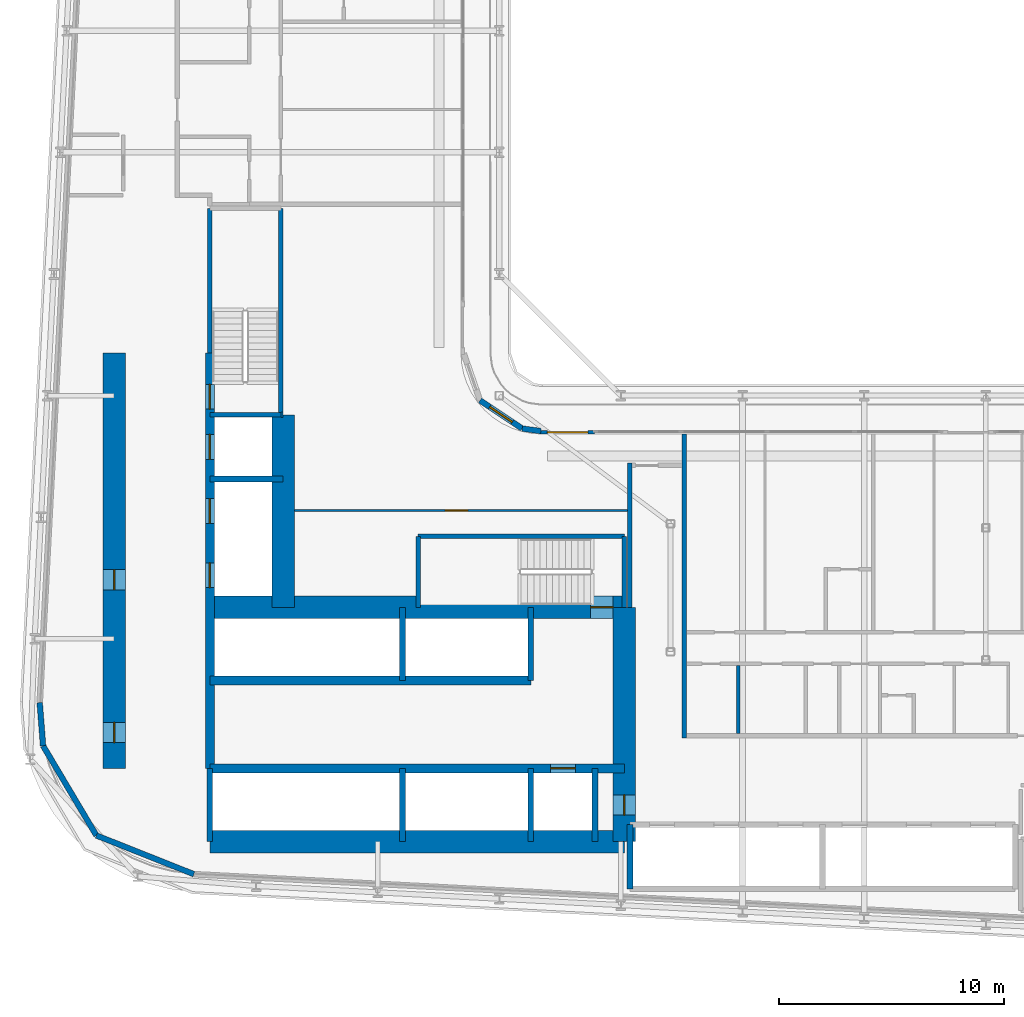
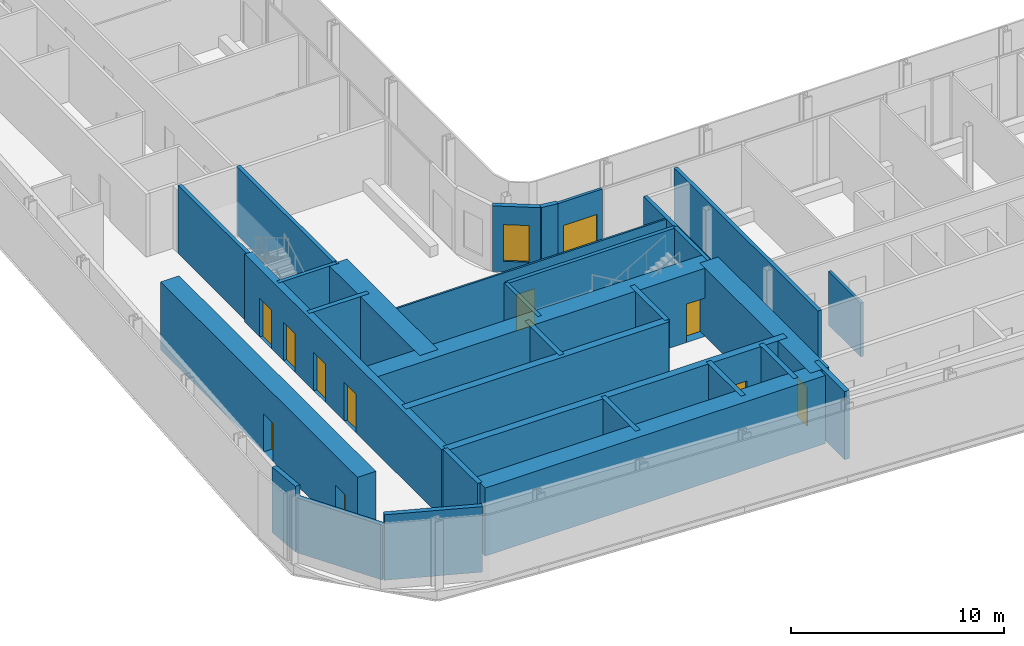
# One storey, part 14 of 29: 33 walls, 11 doors, 1 window, 12 openings.
"""IFC4 building model written with IfcOpenShell, lengths in metres."""

from ifc_helpers import new_model, si_unit, direction, frame, frame_2d, origin, place, context, subcontext, project, spatial, rectangle, extrude, source, transform, mapped, material, layer, layer_set, type_object, element, fill, save


model = new_model("IFC4")

# Units and contexts
model_context = context("Model", 3, precision=1e-05, world=origin(), true_north=direction((0.0, 1.0)))
body_context = subcontext(model_context, "Body", "Model", "MODEL_VIEW")
ifc_project = project(units=[si_unit("LENGTHUNIT", "METRE"), si_unit("AREAUNIT", "SQUARE_METRE"), si_unit("VOLUMEUNIT", "CUBIC_METRE"), si_unit("PLANEANGLEUNIT", "RADIAN"), si_unit("MASSUNIT", "GRAM", prefix="KILO")], contexts=[model_context])

# Site, building, storey
site_placement = place(None, origin())
site = spatial("IfcSite", under=ifc_project, at=site_placement, CompositionType="ELEMENT")
building_placement = place(site_placement, origin())
building = spatial("IfcBuilding", under=site, at=building_placement, Name="Kheshtan School and Residences Tower", CompositionType="ELEMENT")
storey_placement = place(building_placement, frame((0.0, 0.0, 65.60009765625)))
storey = spatial("IfcBuildingStorey", under=building, at=storey_placement, Name="L15", CompositionType="ELEMENT", Elevation=65.60009765625)

# Wall
ifc_material_1 = material(Name="Concrete C80/95", Category="concrete")
ifc_layer_1 = layer(ifc_material_1, 1.0)
ifc_layer_set_1 = layer_set([ifc_layer_1], Name="Core wall 1000 Concrete C80/95")
wall_type_1 = type_object("IfcWallType", Name="Core wall 1000 Concrete C80/95", PredefinedType="SHEAR", material=ifc_layer_set_1)
wall_1_placement = place(storey_placement, frame((34.75, 25.800048828125, 0.0), z_axis=(0.0, 0.0, 1.0), x_axis=(1.0, 0.0, 0.0)))
element("IfcWall", 1, at=wall_1_placement, inside=storey, type_object=wall_type_1, Name="Core wall CW-REAR-S", PredefinedType="SHEAR", context=body_context, shape_type="SweptSolid", body=[
    extrude(rectangle(XDim=18.39990234375, YDim=1.0, at=frame_2d((9.199951171875, 0.0))), origin(), (0.0, 0.0, 1.0), 3.89990234375),
])

# Wall, opening, door
wall_2_placement = place(storey_placement, frame((34.75, 36.199951171875, 0.0), z_axis=(0.0, 0.0, 1.0), x_axis=(1.0, 0.0, 0.0)))
wall_2 = element("IfcWall", 2, at=wall_2_placement, inside=storey, type_object=wall_type_1, Name="Core wall CW-FRONT-S", PredefinedType="SHEAR", context=body_context, shape_type="SweptSolid", body=[
    extrude(rectangle(XDim=18.39990234375, YDim=1.0, at=frame_2d((9.199951171875, 0.0))), origin(), (0.0, 0.0, 1.0), 3.89990234375),
])
opening_1_placement = place(wall_2_placement, frame((16.89990234375, 0.0, 0.0)))
opening_1 = element("IfcOpeningElement", 3, at=opening_1_placement, cuts=wall_2, Name="Opening ST1D", PredefinedType="OPENING", context=body_context, shape_type="SweptSolid", body=[
    extrude(rectangle(XDim=1.0, YDim=2.199951171875, at=frame_2d((0.5, 1.10009765625))), frame((0.0, 0.510009765625, 0.0), z_axis=(0.0, -1.0, 0.0), x_axis=(1.0, 0.0, 0.0)), (0.0, 0.0, 1.0), 1.02001953125),
])
ifc_material_2 = material(Name="Steel door leaf, galvanised", Category="steel")
door_type_1 = type_object("IfcDoorType", Name="Stair door 1100 steel 90 min", OperationType="SINGLE_SWING_LEFT", PredefinedType="DOOR", material=ifc_material_2)
shared_shape_1 = source(origin(), body_context, "Body", "SweptSolid", [
    extrude(rectangle(XDim=1.0, YDim=2.199951171875, at=frame_2d((0.5, 1.10009765625))), frame((0.0, 0.02490234375, 0.0), z_axis=(0.0, -1.0, 0.0), x_axis=(1.0, 0.0, 0.0)), (0.0, 0.0, 1.0), 0.050048828125),
])
door_1_placement = place(opening_1_placement, origin())
door_1 = element("IfcDoor", 4, at=door_1_placement, inside=storey, type_object=door_type_1, Name="Stair ST1 door", OperationType="SINGLE_SWING_RIGHT", OverallHeight=2.199951171875, OverallWidth=1.0, PredefinedType="DOOR", context=body_context, shape_type="MappedRepresentation", body=[
    mapped(shared_shape_1, transform((0.0, 0.0, 0.0), x_axis=(1.0, 0.0, 0.0), y_axis=(0.0, 1.0, 0.0), z_axis=(0.0, 0.0, 1.0), scale=1.0)),
])
fill(opening_1, door_1)

# Wall
wall_3_placement = place(storey_placement, frame((38.0, 36.199951171875, 0.0), z_axis=(0.0, 0.0, 1.0), x_axis=(0.0, 1.0, 0.0)))
element("IfcWall", 5, at=wall_3_placement, inside=storey, type_object=wall_type_1, Name="Core wall CW-FRONT-W", PredefinedType="SHEAR", context=body_context, shape_type="SweptSolid", body=[
    extrude(rectangle(XDim=8.550048828125, YDim=1.0, at=frame_2d((4.27490234375, 0.0))), origin(), (0.0, 0.0, 1.0), 3.89990234375),
])

# Wall, openings, doors
wall_4_placement = place(storey_placement, frame((30.5, 29.050048828125, 0.0), z_axis=(0.0, 0.0, 1.0), x_axis=(0.0, 1.0, 0.0)))
wall_4 = element("IfcWall", 6, at=wall_4_placement, inside=storey, type_object=wall_type_1, Name="Core wall CW-REAR-W", PredefinedType="SHEAR", context=body_context, shape_type="SweptSolid", body=[
    extrude(rectangle(XDim=18.449951171875, YDim=1.0, at=frame_2d((9.22509765625, 0.0))), origin(), (0.0, 0.0, 1.0), 3.89990234375),
])
opening_2_placement = place(wall_4_placement, frame((1.14697265625, 0.0, 0.0)))
opening_2 = element("IfcOpeningElement", 7, at=opening_2_placement, cuts=wall_4, Name="Opening SR90", PredefinedType="OPENING", context=body_context, shape_type="SweptSolid", body=[
    extrude(rectangle(XDim=0.89990234375, YDim=2.199951171875, at=frame_2d((0.449951171875, 1.10009765625))), frame((0.0, 0.510009765625, 0.0), z_axis=(0.0, -1.0, 0.0), x_axis=(1.0, 0.0, 0.0)), (0.0, 0.0, 1.0), 1.02001953125),
])
opening_3_placement = place(wall_4_placement, frame((7.925048828125, 0.0, 0.0)))
opening_3 = element("IfcOpeningElement", 8, at=opening_3_placement, cuts=wall_4, Name="Opening SR90", PredefinedType="OPENING", context=body_context, shape_type="SweptSolid", body=[
    extrude(rectangle(XDim=0.89990234375, YDim=2.199951171875, at=frame_2d((0.449951171875, 1.10009765625))), frame((0.0, 0.510009765625, 0.0), z_axis=(0.0, -1.0, 0.0), x_axis=(1.0, 0.0, 0.0)), (0.0, 0.0, 1.0), 1.02001953125),
])
door_type_2 = type_object("IfcDoorType", Name="Service room door 900 steel 90 min", OperationType="SINGLE_SWING_LEFT", PredefinedType="DOOR", material=ifc_material_2)
shared_shape_2 = source(origin(), body_context, "Body", "SweptSolid", [
    extrude(rectangle(XDim=0.89990234375, YDim=2.199951171875, at=frame_2d((0.449951171875, 1.10009765625))), frame((0.0, 0.02490234375, 0.0), z_axis=(0.0, -1.0, 0.0), x_axis=(1.0, 0.0, 0.0)), (0.0, 0.0, 1.0), 0.050048828125),
])
door_2_placement = place(opening_2_placement, origin())
door_2 = element("IfcDoor", 9, at=door_2_placement, inside=storey, type_object=door_type_2, Name="Service room door", OperationType="SINGLE_SWING_LEFT", OverallHeight=2.199951171875, OverallWidth=0.89990234375, PredefinedType="DOOR", context=body_context, shape_type="MappedRepresentation", body=[
    mapped(shared_shape_2, transform((0.0, 0.0, 0.0), x_axis=(1.0, 0.0, 0.0), y_axis=(0.0, 1.0, 0.0), z_axis=(0.0, 0.0, 1.0), scale=1.0)),
])
fill(opening_2, door_2)
door_3_placement = place(opening_3_placement, origin())
door_3 = element("IfcDoor", 10, at=door_3_placement, inside=storey, type_object=door_type_2, Name="Service room door", OperationType="SINGLE_SWING_LEFT", OverallHeight=2.199951171875, OverallWidth=0.89990234375, PredefinedType="DOOR", context=body_context, shape_type="MappedRepresentation", body=[
    mapped(shared_shape_2, transform((0.0, 0.0, 0.0), x_axis=(1.0, 0.0, 0.0), y_axis=(0.0, 1.0, 0.0), z_axis=(0.0, 0.0, 1.0), scale=1.0)),
])
fill(opening_3, door_3)

# Wall, opening, door
wall_5_placement = place(storey_placement, frame((53.14990234375, 25.800048828125, 0.0), z_axis=(0.0, 0.0, 1.0), x_axis=(0.0, 1.0, 0.0)))
wall_5 = element("IfcWall", 11, at=wall_5_placement, inside=storey, type_object=wall_type_1, Name="Core wall CW-EAST", PredefinedType="SHEAR", context=body_context, shape_type="SweptSolid", body=[
    extrude(rectangle(XDim=10.39990234375, YDim=1.0, at=frame_2d((5.199951171875, 0.0))), origin(), (0.0, 0.0, 1.0), 3.89990234375),
])
opening_4_placement = place(wall_5_placement, frame((1.175048828125, 0.0, 0.0)))
opening_4 = element("IfcOpeningElement", 12, at=opening_4_placement, cuts=wall_5, Name="Opening SR90", PredefinedType="OPENING", context=body_context, shape_type="SweptSolid", body=[
    extrude(rectangle(XDim=0.89990234375, YDim=2.199951171875, at=frame_2d((0.449951171875, 1.10009765625))), frame((0.0, 0.510009765625, 0.0), z_axis=(0.0, -1.0, 0.0), x_axis=(1.0, 0.0, 0.0)), (0.0, 0.0, 1.0), 1.02001953125),
])
door_4_placement = place(opening_4_placement, origin())
door_4 = element("IfcDoor", 13, at=door_4_placement, inside=storey, type_object=door_type_2, Name="Service room door", OperationType="SINGLE_SWING_RIGHT", OverallHeight=2.199951171875, OverallWidth=0.89990234375, PredefinedType="DOOR", context=body_context, shape_type="MappedRepresentation", body=[
    mapped(shared_shape_2, transform((0.0, 0.0, 0.0), x_axis=(1.0, 0.0, 0.0), y_axis=(0.0, 1.0, 0.0), z_axis=(0.0, 0.0, 1.0), scale=1.0)),
])
fill(opening_4, door_4)

ifc_material_3 = material(Name="Concrete C50/60", Category="concrete")
ifc_layer_2 = layer(ifc_material_3, 0.39990234375)
ifc_layer_set_2 = layer_set([ifc_layer_2], Name="Core wall 400 Concrete C50/60")
wall_type_2 = type_object("IfcWallType", Name="Core wall 400 Concrete C50/60", PredefinedType="SHEAR", material=ifc_layer_set_2)
wall_6_placement = place(storey_placement, frame((34.75, 29.050048828125, 0.0), z_axis=(0.0, 0.0, 1.0), x_axis=(1.0, 0.0, 0.0)))
wall_6 = element("IfcWall", 14, at=wall_6_placement, inside=storey, type_object=wall_type_2, Name="Core wall CW-HALL-S1", PredefinedType="SHEAR", context=body_context, shape_type="SweptSolid", body=[
    extrude(rectangle(XDim=18.39990234375, YDim=0.39990234375, at=frame_2d((9.199951171875, 0.0))), origin(), (0.0, 0.0, 1.0), 3.89990234375),
])
opening_5_placement = place(wall_6_placement, frame((15.125, 0.0, 0.0)))
opening_5 = element("IfcOpeningElement", 15, at=opening_5_placement, cuts=wall_6, Name="Opening LD", PredefinedType="OPENING", context=body_context, shape_type="SweptSolid", body=[
    extrude(rectangle(XDim=1.10009765625, YDim=2.199951171875, at=frame_2d((0.550048828125, 1.10009765625))), frame((0.0, 0.2099609375, 0.0), z_axis=(0.0, -1.0, 0.0), x_axis=(1.0, 0.0, 0.0)), (0.0, 0.0, 1.0), 0.419921875),
])
ifc_material_4 = material(Name="Stainless steel door leaves", Category="steel")
door_type_3 = type_object("IfcDoorType", Name="Lift landing door 1100", OperationType="SLIDING_TO_LEFT", PredefinedType="DOOR", material=ifc_material_4)
shared_shape_3 = source(origin(), body_context, "Body", "SweptSolid", [
    extrude(rectangle(XDim=1.10009765625, YDim=2.199951171875, at=frame_2d((0.550048828125, 1.10009765625))), frame((0.0, 0.02490234375, 0.0), z_axis=(0.0, -1.0, 0.0), x_axis=(1.0, 0.0, 0.0)), (0.0, 0.0, 1.0), 0.050048828125),
])
door_5_placement = place(opening_5_placement, origin())
door_5 = element("IfcDoor", 16, at=door_5_placement, inside=storey, type_object=door_type_3, Name="Lift FFL2 landing door", OperationType="SLIDING_TO_LEFT", OverallHeight=2.199951171875, OverallWidth=1.10009765625, PredefinedType="DOOR", context=body_context, shape_type="MappedRepresentation", body=[
    mapped(shared_shape_3, transform((0.0, 0.0, 0.0), x_axis=(1.0, 0.0, 0.0), y_axis=(0.0, 1.0, 0.0), z_axis=(0.0, 0.0, 1.0), scale=1.0)),
])
fill(opening_5, door_5)

# Wall
wall_7_placement = place(storey_placement, frame((34.75, 32.949951171875, 0.0), z_axis=(0.0, 0.0, 1.0), x_axis=(1.0, 0.0, 0.0)))
element("IfcWall", 17, at=wall_7_placement, inside=storey, type_object=wall_type_2, Name="Core wall CW-HALL-S2", PredefinedType="SHEAR", context=body_context, shape_type="SweptSolid", body=[
    extrude(rectangle(XDim=14.25, YDim=0.39990234375, at=frame_2d((7.125, 0.0))), origin(), (0.0, 0.0, 1.0), 3.89990234375),
])

# Wall, openings, doors
wall_8_placement = place(storey_placement, frame((34.75, 29.050048828125, 0.0), z_axis=(0.0, 0.0, 1.0), x_axis=(0.0, 1.0, 0.0)))
wall_8 = element("IfcWall", 18, at=wall_8_placement, inside=storey, type_object=wall_type_2, Name="Core wall CW-HALL-W1", PredefinedType="SHEAR", context=body_context, shape_type="SweptSolid", body=[
    extrude(rectangle(XDim=18.449951171875, YDim=0.39990234375, at=frame_2d((9.22509765625, 0.0))), origin(), (0.0, 0.0, 1.0), 3.89990234375),
])
opening_6_placement = place(wall_8_placement, frame((8.02490234375, 0.0, 0.0)))
opening_6 = element("IfcOpeningElement", 19, at=opening_6_placement, cuts=wall_8, Name="Opening LD", PredefinedType="OPENING", context=body_context, shape_type="SweptSolid", body=[
    extrude(rectangle(XDim=1.10009765625, YDim=2.199951171875, at=frame_2d((0.550048828125, 1.10009765625))), frame((0.0, 0.2099609375, 0.0), z_axis=(0.0, -1.0, 0.0), x_axis=(1.0, 0.0, 0.0)), (0.0, 0.0, 1.0), 0.419921875),
])
opening_7_placement = place(wall_8_placement, frame((10.875, 0.0, 0.0)))
opening_7 = element("IfcOpeningElement", 20, at=opening_7_placement, cuts=wall_8, Name="Opening LD", PredefinedType="OPENING", context=body_context, shape_type="SweptSolid", body=[
    extrude(rectangle(XDim=1.10009765625, YDim=2.199951171875, at=frame_2d((0.550048828125, 1.10009765625))), frame((0.0, 0.2099609375, 0.0), z_axis=(0.0, -1.0, 0.0), x_axis=(1.0, 0.0, 0.0)), (0.0, 0.0, 1.0), 0.419921875),
])
opening_8_placement = place(wall_8_placement, frame((13.72509765625, 0.0, 0.0)))
opening_8 = element("IfcOpeningElement", 21, at=opening_8_placement, cuts=wall_8, Name="Opening LD", PredefinedType="OPENING", context=body_context, shape_type="SweptSolid", body=[
    extrude(rectangle(XDim=1.10009765625, YDim=2.199951171875, at=frame_2d((0.550048828125, 1.10009765625))), frame((0.0, 0.2099609375, 0.0), z_axis=(0.0, -1.0, 0.0), x_axis=(1.0, 0.0, 0.0)), (0.0, 0.0, 1.0), 0.419921875),
])
opening_9_placement = place(wall_8_placement, frame((15.949951171875, 0.0, 0.0)))
opening_9 = element("IfcOpeningElement", 22, at=opening_9_placement, cuts=wall_8, Name="Opening ST2D", PredefinedType="OPENING", context=body_context, shape_type="SweptSolid", body=[
    extrude(rectangle(XDim=1.10009765625, YDim=2.199951171875, at=frame_2d((0.550048828125, 1.10009765625))), frame((0.0, 0.2099609375, 0.0), z_axis=(0.0, -1.0, 0.0), x_axis=(1.0, 0.0, 0.0)), (0.0, 0.0, 1.0), 0.419921875),
])
door_6_placement = place(opening_6_placement, origin())
door_6 = element("IfcDoor", 23, at=door_6_placement, inside=storey, type_object=door_type_3, Name="Lift SV1 landing door", OperationType="SLIDING_TO_LEFT", OverallHeight=2.199951171875, OverallWidth=1.10009765625, PredefinedType="DOOR", context=body_context, shape_type="MappedRepresentation", body=[
    mapped(shared_shape_3, transform((0.0, 0.0, 0.0), x_axis=(1.0, 0.0, 0.0), y_axis=(0.0, 1.0, 0.0), z_axis=(0.0, 0.0, 1.0), scale=1.0)),
])
fill(opening_6, door_6)
door_7_placement = place(opening_7_placement, origin())
door_7 = element("IfcDoor", 24, at=door_7_placement, inside=storey, type_object=door_type_3, Name="Lift SV2 landing door", OperationType="SLIDING_TO_LEFT", OverallHeight=2.199951171875, OverallWidth=1.10009765625, PredefinedType="DOOR", context=body_context, shape_type="MappedRepresentation", body=[
    mapped(shared_shape_3, transform((0.0, 0.0, 0.0), x_axis=(1.0, 0.0, 0.0), y_axis=(0.0, 1.0, 0.0), z_axis=(0.0, 0.0, 1.0), scale=1.0)),
])
fill(opening_7, door_7)
door_8_placement = place(opening_8_placement, origin())
door_8 = element("IfcDoor", 25, at=door_8_placement, inside=storey, type_object=door_type_3, Name="Lift FFL1 landing door", OperationType="SLIDING_TO_LEFT", OverallHeight=2.199951171875, OverallWidth=1.10009765625, PredefinedType="DOOR", context=body_context, shape_type="MappedRepresentation", body=[
    mapped(shared_shape_3, transform((0.0, 0.0, 0.0), x_axis=(1.0, 0.0, 0.0), y_axis=(0.0, 1.0, 0.0), z_axis=(0.0, 0.0, 1.0), scale=1.0)),
])
fill(opening_8, door_8)
shared_shape_4 = source(origin(), body_context, "Body", "SweptSolid", [
    extrude(rectangle(XDim=1.10009765625, YDim=2.199951171875, at=frame_2d((0.550048828125, 1.10009765625))), frame((0.0, 0.02490234375, 0.0), z_axis=(0.0, -1.0, 0.0), x_axis=(1.0, 0.0, 0.0)), (0.0, 0.0, 1.0), 0.050048828125),
])
door_9_placement = place(opening_9_placement, origin())
door_9 = element("IfcDoor", 26, at=door_9_placement, inside=storey, type_object=door_type_1, Name="Stair ST2 door", OperationType="SINGLE_SWING_RIGHT", OverallHeight=2.199951171875, OverallWidth=1.10009765625, PredefinedType="DOOR", context=body_context, shape_type="MappedRepresentation", body=[
    mapped(shared_shape_4, transform((0.0, 0.0, 0.0), x_axis=(1.0, 0.0, 0.0), y_axis=(0.0, 1.0, 0.0), z_axis=(0.0, 0.0, 1.0), scale=1.0)),
])
fill(opening_9, door_9)

# Walls
ifc_material_5 = material(Name="Gypsum board on steel studs with fire boards", Category="steel")
ifc_layer_3 = layer(ifc_material_5, 0.199951171875)
ifc_layer_set_3 = layer_set([ifc_layer_3], Name="Corridor wall 200")
wall_type_3 = type_object("IfcWallType", Name="Corridor wall 200", PredefinedType="PARTITIONING", material=ifc_layer_set_3)
wall_9_placement = place(storey_placement, frame((53.39990234375, 36.198974609375, 0.0), z_axis=(0.0, 0.0, 1.0), x_axis=(0.0, 1.0, 0.0)))
element("IfcWall", 27, at=wall_9_placement, inside=storey, type_object=wall_type_3, Name="Partition L15-038", PredefinedType="PARTITIONING", context=body_context, shape_type="SweptSolid", body=[
    extrude(rectangle(XDim=6.401123046875, YDim=0.199951171875, at=frame_2d((3.20068359375, 0.0))), origin(), (0.0, 0.0, 1.0), 3.599853515625),
])
ifc_material_6 = material(Name="Concrete C40/50 with ceramic cladding and mineral wool insulation", Category="concrete")
ifc_layer_4 = layer(ifc_material_6, 0.25)
ifc_layer_set_4 = layer_set([ifc_layer_4], Name="External wall 250 ceramic clad")
wall_type_4 = type_object("IfcWallType", Name="External wall 250 ceramic clad", PredefinedType="SOLIDWALL", material=ifc_layer_set_4)
wall_10_placement = place(storey_placement, frame((34.0390625, 24.35302734375, 0.0), z_axis=(0.0, 0.0, 1.0), x_axis=(-0.929352825399, 0.369192803184, 0.0)))
element("IfcWall", 28, at=wall_10_placement, inside=storey, type_object=wall_type_4, Name="External wall L15 1", PredefinedType="SOLIDWALL", context=body_context, shape_type="SweptSolid", body=[
    extrude(rectangle(XDim=4.656005859375, YDim=0.25, at=frame_2d((2.328125, 0.0))), origin(), (0.0, 0.0, 1.0), 3.75),
])
wall_11_placement = place(storey_placement, frame((29.7119140625, 26.072021484375, 0.0), z_axis=(0.0, 0.0, 1.0), x_axis=(-0.511028049012, 0.859564036662, 0.0)))
element("IfcWall", 29, at=wall_11_placement, inside=storey, type_object=wall_type_4, Name="External wall L15 2", PredefinedType="SOLIDWALL", context=body_context, shape_type="SweptSolid", body=[
    extrude(rectangle(XDim=4.633544921875, YDim=0.25, at=frame_2d((2.31689453125, 0.0))), origin(), (0.0, 0.0, 1.0), 3.1328125),
])
wall_12_placement = place(storey_placement, frame((27.343994140625, 30.054931640625, 0.0), z_axis=(0.0, 0.0, 1.0), x_axis=(-0.077571675317, 0.99698677784, 0.0)))
element("IfcWall", 30, at=wall_12_placement, inside=storey, type_object=wall_type_4, Name="External wall L15 3", PredefinedType="SOLIDWALL", context=body_context, shape_type="SweptSolid", body=[
    extrude(rectangle(XDim=1.919921875, YDim=0.25, at=frame_2d((0.9599609375, 0.0))), origin(), (0.0, 0.0, 1.0), 3.75),
])

# Wall, opening, window
wall_13_placement = place(storey_placement, frame((46.742919921875, 45.388916015625, 0.0), z_axis=(0.0, 0.0, 1.0), x_axis=(0.831449265529, -0.555600682912, 0.0)))
wall_13 = element("IfcWall", 31, at=wall_13_placement, inside=storey, type_object=wall_type_4, Name="External wall L15 10", PredefinedType="SOLIDWALL", context=body_context, shape_type="SweptSolid", body=[
    extrude(rectangle(XDim=2.25146484375, YDim=0.25, at=frame_2d((1.125732421875, 0.0))), origin(), (0.0, 0.0, 1.0), 3.75),
])
opening_10_placement = place(wall_13_placement, frame((0.52490234375, 0.0, 0.60009765625)))
opening_10 = element("IfcOpeningElement", 32, at=opening_10_placement, cuts=wall_13, Name="Opening WN-E", PredefinedType="OPENING", context=body_context, shape_type="SweptSolid", body=[
    extrude(rectangle(XDim=1.199951171875, YDim=2.10009765625, at=frame_2d((0.60009765625, 1.050048828125))), frame((0.0, 0.135009765625, 0.0), z_axis=(0.0, -1.0, 0.0), x_axis=(1.0, 0.0, 0.0)), (0.0, 0.0, 1.0), 0.27001953125),
])
ifc_material_7 = material(Name="Clear low-e glass in thermally broken aluminium frame", Category="aluminium")
window_type = type_object("IfcWindowType", Name="Window WN-E", PartitioningType="SINGLE_PANEL", PredefinedType="WINDOW", material=ifc_material_7)
shared_shape_5 = source(origin(), body_context, "Body", "SweptSolid", [
    extrude(rectangle(XDim=1.199951171875, YDim=2.10009765625, at=frame_2d((0.60009765625, 1.050048828125))), frame((0.0, 0.030029296875, 0.0), z_axis=(0.0, -1.0, 0.0), x_axis=(1.0, 0.0, 0.0)), (0.0, 0.0, 1.0), 0.06005859375),
])
window_placement = place(opening_10_placement, origin())
window = element("IfcWindow", 33, at=window_placement, inside=storey, type_object=window_type, Name="Window L15 10", OverallHeight=2.10009765625, OverallWidth=1.199951171875, PartitioningType="SINGLE_PANEL", PredefinedType="WINDOW", context=body_context, shape_type="MappedRepresentation", body=[
    mapped(shared_shape_5, transform((0.0, 0.0, 0.0), x_axis=(1.0, 0.0, 0.0), y_axis=(0.0, 1.0, 0.0), z_axis=(0.0, 0.0, 1.0), scale=1.0)),
])
fill(opening_10, window)

# Wall
wall_14_placement = place(storey_placement, frame((48.614990234375, 44.137939453125, 0.0), z_axis=(0.0, 0.0, 1.0), x_axis=(0.990741504246, -0.135761819977, 0.0)))
element("IfcWall", 34, at=wall_14_placement, inside=storey, type_object=wall_type_4, Name="External wall L15 11", PredefinedType="SOLIDWALL", context=body_context, shape_type="SweptSolid", body=[
    extrude(rectangle(XDim=0.83984375, YDim=0.25, at=frame_2d((0.419921875, 0.0))), origin(), (0.0, 0.0, 1.0), 3.75),
])

# Wall, opening, door
ifc_material_8 = material(Name="Aluminium frame wall with insulated infill", Category="aluminium")
ifc_layer_5 = layer(ifc_material_8, 0.14990234375)
ifc_layer_set_5 = layer_set([ifc_layer_5], Name="Glazing frame wall 150")
wall_type_5 = type_object("IfcWallType", Name="Glazing frame wall 150", PredefinedType="SOLIDWALL", material=ifc_layer_set_5)
wall_15_placement = place(storey_placement, frame((49.429931640625, 43.97509765625, 0.0), z_axis=(0.0, 0.0, 1.0), x_axis=(1.0, 0.0, 0.0)))
wall_15 = element("IfcWall", 35, at=wall_15_placement, inside=storey, type_object=wall_type_5, Name="Balcony door wall L15 12.1", PredefinedType="SOLIDWALL", context=body_context, shape_type="SweptSolid", body=[
    extrude(rectangle(XDim=2.400146484375, YDim=0.14990234375, at=frame_2d((1.2001953125, 0.0))), origin(), (0.0, 0.0, 1.0), 3.75),
])
opening_11_placement = place(wall_15_placement, frame((0.300048828125, 0.0, 0.0)))
opening_11 = element("IfcOpeningElement", 36, at=opening_11_placement, cuts=wall_15, Name="Opening BD", PredefinedType="OPENING", context=body_context, shape_type="SweptSolid", body=[
    extrude(rectangle(XDim=1.800048828125, YDim=2.39990234375, at=frame_2d((0.89990234375, 1.199951171875))), frame((0.0, 0.0849609375, 0.0), z_axis=(0.0, -1.0, 0.0), x_axis=(1.0, 0.0, 0.0)), (0.0, 0.0, 1.0), 0.169921875),
])
door_type_4 = type_object("IfcDoorType", Name="Balcony sliding door", OperationType="SLIDING_TO_LEFT", PredefinedType="DOOR", material=ifc_material_7)
shared_shape_6 = source(origin(), body_context, "Body", "SweptSolid", [
    extrude(rectangle(XDim=1.800048828125, YDim=2.39990234375, at=frame_2d((0.89990234375, 1.199951171875))), frame((0.0, 0.02490234375, 0.0), z_axis=(0.0, -1.0, 0.0), x_axis=(1.0, 0.0, 0.0)), (0.0, 0.0, 1.0), 0.050048828125),
])
door_10_placement = place(opening_11_placement, origin())
door_10 = element("IfcDoor", 37, at=door_10_placement, inside=storey, type_object=door_type_4, Name="Balcony door L15 12.1", OperationType="SLIDING_TO_LEFT", OverallHeight=2.39990234375, OverallWidth=1.800048828125, PredefinedType="DOOR", context=body_context, shape_type="MappedRepresentation", body=[
    mapped(shared_shape_6, transform((0.0, 0.0, 0.0), x_axis=(1.0, 0.0, 0.0), y_axis=(0.0, 1.0, 0.0), z_axis=(0.0, 0.0, 1.0), scale=1.0)),
])
fill(opening_11, door_10)

ifc_material_9 = material(Name="Gypsum board on steel studs", Category="steel")
ifc_layer_6 = layer(ifc_material_9, 0.10009765625)
ifc_layer_set_6 = layer_set([ifc_layer_6], Name="Gypsum partition 100")
wall_type_6 = type_object("IfcWallType", Name="Gypsum partition 100", PredefinedType="PARTITIONING", material=ifc_layer_set_6)
wall_16_placement = place(storey_placement, frame((38.4990234375, 40.5, 0.0), z_axis=(0.0, 0.0, 1.0), x_axis=(1.0, 0.0, 0.0)))
wall_16 = element("IfcWall", 38, at=wall_16_placement, inside=storey, type_object=wall_type_6, Name="Partition L15-036", PredefinedType="PARTITIONING", context=body_context, shape_type="SweptSolid", body=[
    extrude(rectangle(XDim=14.801025390625, YDim=0.10009765625, at=frame_2d((7.400390625, 0.0))), origin(), (0.0, 0.0, 1.0), 3.599853515625),
])
opening_12_placement = place(wall_16_placement, frame((6.700927734375, 0.0, 0.0)))
opening_12 = element("IfcOpeningElement", 39, at=opening_12_placement, cuts=wall_16, Name="Opening D14-057", PredefinedType="OPENING", context=body_context, shape_type="SweptSolid", body=[
    extrude(rectangle(XDim=1.0, YDim=2.10009765625, at=frame_2d((0.5, 1.050048828125))), frame((0.0, 0.06005859375, 0.0), z_axis=(0.0, -1.0, 0.0), x_axis=(1.0, 0.0, 0.0)), (0.0, 0.0, 1.0), 0.1201171875),
])
ifc_material_10 = material(Name="Veneered timber door leaf", Category="wood")
door_type_5 = type_object("IfcDoorType", Name="Door 1000 x 2100", OperationType="SINGLE_SWING_LEFT", PredefinedType="DOOR", material=ifc_material_10)
shared_shape_7 = source(origin(), body_context, "Body", "SweptSolid", [
    extrude(rectangle(XDim=1.0, YDim=2.10009765625, at=frame_2d((0.5, 1.050048828125))), frame((0.0, 0.02490234375, 0.0), z_axis=(0.0, -1.0, 0.0), x_axis=(1.0, 0.0, 0.0)), (0.0, 0.0, 1.0), 0.050048828125),
])
door_11_placement = place(opening_12_placement, origin())
door_11 = element("IfcDoor", 40, at=door_11_placement, inside=storey, type_object=door_type_5, Name="Door D14-057", OperationType="SINGLE_SWING_RIGHT", OverallHeight=2.10009765625, OverallWidth=1.0, PredefinedType="DOOR", context=body_context, shape_type="MappedRepresentation", body=[
    mapped(shared_shape_7, transform((0.0, 0.0, 0.0), x_axis=(1.0, 0.0, 0.0), y_axis=(0.0, 1.0, 0.0), z_axis=(0.0, 0.0, 1.0), scale=1.0)),
])
fill(opening_12, door_11)

# Walls
ifc_material_11 = material(Name="Fire-board shaft wall system")
ifc_layer_7 = layer(ifc_material_11, 0.25)
ifc_layer_set_7 = layer_set([ifc_layer_7], Name="Shaft lining wall 250")
wall_type_7 = type_object("IfcWallType", Name="Shaft lining wall 250", PredefinedType="PARTITIONING", material=ifc_layer_set_7)
for number, where, z_axis, x_axis, name in (
    (41, (34.75, 25.800048828125, 0.0), (0.0, 0.0, 1.0), (0.0, 1.0, 0.0), "Shaft lining wall"),
    (42, (43.300048828125, 25.800048828125, 0.0), (0.0, 0.0, 1.0), (0.0, 1.0, 0.0), "Shaft lining wall"),
    (43, (43.300048828125, 32.949951171875, 0.0), (0.0, 0.0, 1.0), (0.0, 1.0, 0.0), "Shaft lining wall"),
    (44, (49.0, 25.800048828125, 0.0), (0.0, 0.0, 1.0), (0.0, 1.0, 0.0), "Shaft lining wall"),
    (45, (49.0, 32.949951171875, 0.0), (0.0, 0.0, 1.0), (0.0, 1.0, 0.0), "Shaft lining wall"),
    (46, (51.85009765625, 25.800048828125, 0.0), (0.0, 0.0, 1.0), (0.0, 1.0, 0.0), "Shaft lining wall"),
):
    element("IfcWall", number, at=place(storey_placement, frame(where, z_axis=z_axis, x_axis=x_axis)), inside=storey, type_object=wall_type_7, Name=name, PredefinedType="PARTITIONING", context=body_context, shape_type="SweptSolid", body=[
        extrude(rectangle(XDim=3.25, YDim=0.25, at=frame_2d((1.625, 0.0))), origin(), (0.0, 0.0, 1.0), 3.89990234375),
    ])
wall_17_placement = place(storey_placement, frame((53.39990234375, 23.699951171875, 0.0), z_axis=(0.0, 0.0, 1.0), x_axis=(0.0, 1.0, 0.0)))
element("IfcWall", 47, at=wall_17_placement, inside=storey, type_object=wall_type_7, Name="Shaft lining wall", PredefinedType="PARTITIONING", context=body_context, shape_type="SweptSolid", body=[
    extrude(rectangle(XDim=2.85009765625, YDim=0.25, at=frame_2d((1.425048828125, 0.0))), origin(), (0.0, 0.0, 1.0), 3.89990234375),
])
wall_18_placement = place(storey_placement, frame((34.75, 41.89990234375, 0.0), z_axis=(0.0, 0.0, 1.0), x_axis=(1.0, 0.0, 0.0)))
element("IfcWall", 48, at=wall_18_placement, inside=storey, type_object=wall_type_7, Name="Shaft lining wall", PredefinedType="PARTITIONING", context=body_context, shape_type="SweptSolid", body=[
    extrude(rectangle(XDim=3.25, YDim=0.25, at=frame_2d((1.625, 0.0))), origin(), (0.0, 0.0, 1.0), 3.89990234375),
])
wall_19_placement = place(storey_placement, frame((37.89990234375, 44.75, 0.0), z_axis=(0.0, 0.0, 1.0), x_axis=(1.0, 0.0, 0.0)))
element("IfcWall", 49, at=wall_19_placement, inside=storey, type_object=wall_type_7, Name="Shaft lining wall", PredefinedType="PARTITIONING", context=body_context, shape_type="SweptSolid", body=[
    extrude(rectangle(XDim=0.10009765625, YDim=0.25, at=frame_2d((0.050048828125, 0.0))), origin(), (0.0, 0.0, 1.0), 3.89990234375),
])
ifc_material_12 = material(Name="Concrete C40/50", Category="concrete")
ifc_layer_8 = layer(ifc_material_12, 0.199951171875)
ifc_layer_set_8 = layer_set([ifc_layer_8], Name="Stair enclosure wall 200 Concrete C40/50")
wall_type_8 = type_object("IfcWallType", Name="Stair enclosure wall 200 Concrete C40/50", PredefinedType="SHEAR", material=ifc_layer_set_8)
wall_20_placement = place(storey_placement, frame((43.989990234375, 39.35009765625, 0.0), z_axis=(0.0, 0.0, 1.0), x_axis=(1.0, 0.0, 0.0)))
element("IfcWall", 50, at=wall_20_placement, inside=storey, type_object=wall_type_8, Name="Stair enclosure wall ST1", PredefinedType="SHEAR", context=body_context, shape_type="SweptSolid", body=[
    extrude(rectangle(XDim=9.159912109375, YDim=0.199951171875, at=frame_2d((4.580078125, 0.0))), origin(), (0.0, 0.0, 1.0), 3.89990234375),
])
for number, where, z_axis, x_axis, name in (
    (51, (43.989990234375, 36.199951171875, 0.0), (0.0, 0.0, 1.0), (0.0, 1.0, 0.0), "Stair enclosure wall ST1"),
    (52, (53.14990234375, 36.199951171875, 0.0), (0.0, 0.0, 1.0), (0.0, 1.0, 0.0), "Stair enclosure wall ST1"),
):
    element("IfcWall", number, at=place(storey_placement, frame(where, z_axis=z_axis, x_axis=x_axis)), inside=storey, type_object=wall_type_8, Name=name, PredefinedType="SHEAR", context=body_context, shape_type="SweptSolid", body=[
        extrude(rectangle(XDim=3.150146484375, YDim=0.199951171875, at=frame_2d((1.5751953125, 0.0))), origin(), (0.0, 0.0, 1.0), 3.89990234375),
    ])
wall_21_placement = place(storey_placement, frame((34.75, 44.75, 0.0), z_axis=(0.0, 0.0, 1.0), x_axis=(1.0, 0.0, 0.0)))
element("IfcWall", 53, at=wall_21_placement, inside=storey, type_object=wall_type_8, Name="Stair enclosure wall ST2", PredefinedType="SHEAR", context=body_context, shape_type="SweptSolid", body=[
    extrude(rectangle(XDim=3.14990234375, YDim=0.199951171875, at=frame_2d((1.574951171875, 0.0))), origin(), (0.0, 0.0, 1.0), 3.89990234375),
])
wall_22_placement = place(storey_placement, frame((34.75, 47.5, 0.0), z_axis=(0.0, 0.0, 1.0), x_axis=(0.0, 1.0, 0.0)))
element("IfcWall", 54, at=wall_22_placement, inside=storey, type_object=wall_type_8, Name="Stair enclosure wall ST2", PredefinedType="SHEAR", context=body_context, shape_type="SweptSolid", body=[
    extrude(rectangle(XDim=6.409912109375, YDim=0.199951171875, at=frame_2d((3.205078125, 0.0))), origin(), (0.0, 0.0, 1.0), 3.89990234375),
])
wall_23_placement = place(storey_placement, frame((37.89990234375, 44.75, 0.0), z_axis=(0.0, 0.0, 1.0), x_axis=(0.0, 1.0, 0.0)))
element("IfcWall", 55, at=wall_23_placement, inside=storey, type_object=wall_type_8, Name="Stair enclosure wall ST2", PredefinedType="SHEAR", context=body_context, shape_type="SweptSolid", body=[
    extrude(rectangle(XDim=9.159912109375, YDim=0.199951171875, at=frame_2d((4.580078125, 0.0))), origin(), (0.0, 0.0, 1.0), 3.89990234375),
])
ifc_material_13 = material(Name="Twin gypsum board on steel studs with mineral wool", Category="steel")
ifc_layer_9 = layer(ifc_material_13, 0.199951171875)
ifc_layer_set_9 = layer_set([ifc_layer_9], Name="Unit demising wall 200")
wall_type_9 = type_object("IfcWallType", Name="Unit demising wall 200", PredefinedType="PARTITIONING", material=ifc_layer_set_9)
wall_24_placement = place(storey_placement, frame((55.800048828125, 30.39990234375, 0.0), z_axis=(0.0, 0.0, 1.0), x_axis=(0.0, 1.0, 0.0)))
element("IfcWall", 56, at=wall_24_placement, inside=storey, type_object=wall_type_9, Name="Partition L15-040", PredefinedType="PARTITIONING", context=body_context, shape_type="SweptSolid", body=[
    extrude(rectangle(XDim=13.5, YDim=0.199951171875, at=frame_2d((6.75, 0.0))), origin(), (0.0, 0.0, 1.0), 3.599853515625),
])
ifc_material_14 = material(Name="Moisture-resistant gypsum board on steel studs", Category="steel")
ifc_layer_10 = layer(ifc_material_14, 0.14990234375)
ifc_layer_set_10 = layer_set([ifc_layer_10], Name="Wet-room partition 150")
wall_type_10 = type_object("IfcWallType", Name="Wet-room partition 150", PredefinedType="PARTITIONING", material=ifc_layer_set_10)
wall_25_placement = place(storey_placement, frame((58.199951171875, 30.60009765625, 0.0), z_axis=(0.0, 0.0, 1.0), x_axis=(0.0, 1.0, 0.0)))
element("IfcWall", 57, at=wall_25_placement, inside=storey, type_object=wall_type_10, Name="Partition L15-044", PredefinedType="PARTITIONING", context=body_context, shape_type="SweptSolid", body=[
    extrude(rectangle(XDim=3.02490234375, YDim=0.14990234375, at=frame_2d((1.512451171875, 0.0))), origin(), (0.0, 0.0, 1.0), 3.072021484375),
])

save(model, "model.ifc")
